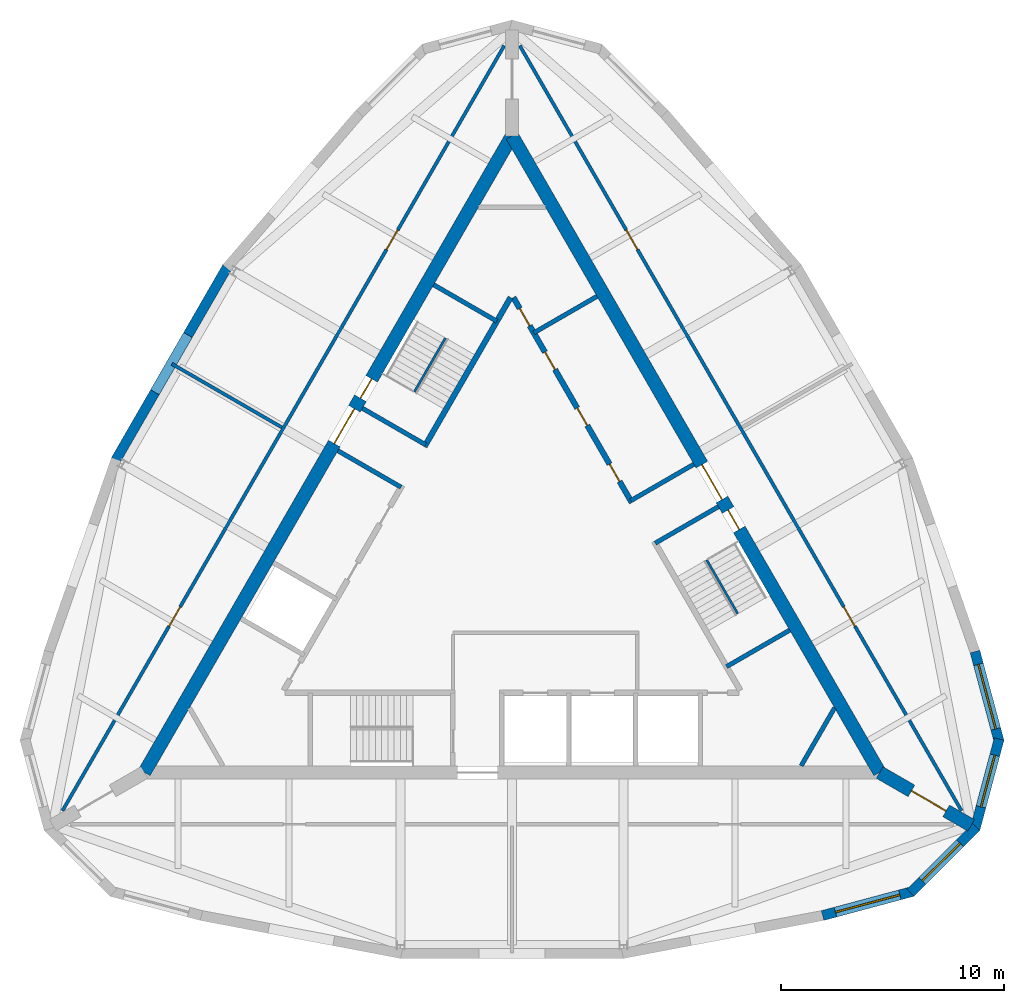
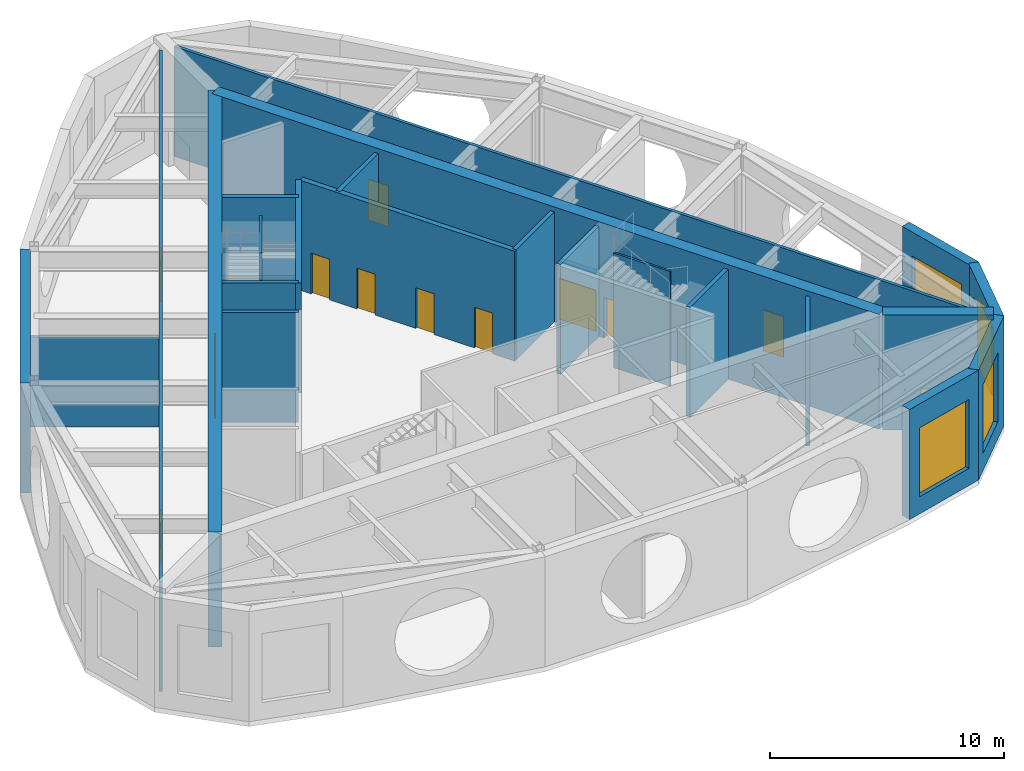
# One storey, part 3 of 5: 23 walls, 13 doors, 4 windows, 17 openings.
"""IFC4 building model written with IfcOpenShell, lengths in metres."""

import ifcopenshell
import ifcopenshell.guid

model = None  # the IFC model being written
_history = None  # IfcOwnerHistory: only IFC2X3 demands one
_inside = {}  # id of a spatial element -> (the spatial element, [elements in it])
_under = {}  # id of a project, library or spatial element -> (it, [spatial elements below it])
_declared = {}  # id of a project -> (the project, [libraries it declares])
_typed = {}  # id of a type object -> (the type object, [elements of that type])
_made_of = {}  # id of a material, layer set ... -> (it, [elements and type objects made of it])


def new_model(schema):
    """Start an empty IFC model of exactly this schema.

    Asked for "IFC4X3", IfcOpenShell would pick the latest addendum, in which some entities
    have other attributes; the version numbers below select the first issue.
    IFC2X3 requires an IfcOwnerHistory on every rooted entity: one is made here for all.
    """
    global model, _history
    if schema == "IFC4X3":
        model = ifcopenshell.file(schema_version=(4, 3, 0, 0))
    else:
        model = ifcopenshell.file(schema=schema)
    _inside.clear()
    _under.clear()
    _declared.clear()
    _typed.clear()
    _made_of.clear()
    _history = None
    if model.schema == "IFC2X3":
        org = make("IfcOrganization", Name="unknown")
        user = make(
            "IfcPersonAndOrganization",
            ThePerson=make("IfcPerson", FamilyName="unknown"),
            TheOrganization=org,
        )
        app = make(
            "IfcApplication",
            ApplicationDeveloper=org,
            Version="unknown",
            ApplicationFullName="unknown",
            ApplicationIdentifier="unknown",
        )
        _history = make(
            "IfcOwnerHistory",
            OwningUser=user,
            OwningApplication=app,
            ChangeAction="ADDED",
            CreationDate=0,
        )
    return model


def make(cls, **values):
    """One entity of the class cls with the attributes given. An attribute that is None is left unset."""
    return model.create_entity(
        cls, **{name: value for name, value in values.items() if value is not None}
    )


def rooted(cls, **values):
    """An entity with a GlobalId (a new one), such as an element, a storey or a relation."""
    return make(cls, GlobalId=ifcopenshell.guid.new(), OwnerHistory=_history, **values)


def si_unit(unit_type, name, prefix=None):
    """IfcSIUnit, for example si_unit("LENGTHUNIT", "METRE", prefix="MILLI")."""
    return make("IfcSIUnit", UnitType=unit_type, Prefix=prefix, Name=name)


def assignment(units):
    """IfcUnitAssignment: the units of a project."""
    return None if units is None else make("IfcUnitAssignment", Units=units)


def point(xyz):
    """IfcCartesianPoint."""
    return None if xyz is None else make("IfcCartesianPoint", Coordinates=xyz)


def direction(xyz):
    """IfcDirection."""
    return None if xyz is None else make("IfcDirection", DirectionRatios=xyz)


def frame(location, z_axis=None, x_axis=None):
    """IfcAxis2Placement3D, a coordinate frame: its origin and axes. An axis left out is left unset."""
    return make(
        "IfcAxis2Placement3D",
        Location=point(location),
        Axis=direction(z_axis),
        RefDirection=direction(x_axis),
    )


def frame_2d(location, x_axis=None):
    """IfcAxis2Placement2D, a coordinate frame in the plane: its origin and x axis."""
    return make(
        "IfcAxis2Placement2D", Location=point(location), RefDirection=direction(x_axis)
    )


def origin():
    """The frame at (0, 0, 0) with its axes left unset."""
    return frame((0.0, 0.0, 0.0))


def place(relative_to, where):
    """IfcLocalPlacement: puts the frame where relative to a parent placement (None: the world)."""
    return make(
        "IfcLocalPlacement", PlacementRelTo=relative_to, RelativePlacement=where
    )


def context(
    kind, dimensions, precision=None, world=None, true_north=None, identifier=None
):
    """IfcGeometricRepresentationContext, for example the 3D "Model" context."""
    return make(
        "IfcGeometricRepresentationContext",
        ContextIdentifier=identifier,
        ContextType=kind,
        CoordinateSpaceDimension=dimensions,
        Precision=precision,
        WorldCoordinateSystem=world,
        TrueNorth=true_north,
    )


def subcontext(parent, identifier, kind, view, scale=None):
    """IfcGeometricRepresentationSubContext, for example "Body" below "Model"."""
    return make(
        "IfcGeometricRepresentationSubContext",
        ContextIdentifier=identifier,
        ContextType=kind,
        ParentContext=parent,
        TargetScale=scale,
        TargetView=view,
    )


def project(units=None, contexts=None):
    """IfcProject with its units and contexts."""
    return rooted(
        "IfcProject",
        Name="project",
        RepresentationContexts=contexts,
        UnitsInContext=assignment(units),
    )


def spatial(cls, under=None, at=None, **own):
    """A site, building, storey or space (cls), placed at a placement, below another one or the project."""
    s = rooted(cls, ObjectPlacement=at, **own)
    if under is not None:
        _under.setdefault(under.id(), (under, []))[1].append(s)
    return s


def polyline(points):
    """IfcPolyline through the points."""
    return make("IfcPolyline", Points=[point(p) for p in points])


def profile(cls, at=None, kind="AREA", **sizes):
    """A parametric profile (cls). Its sizes go by their IFC names, for example OverallWidth=200.0."""
    return make(cls, ProfileType=kind, Position=at, **sizes)


def rectangle(**sizes):
    """IfcRectangleProfileDef."""
    return profile("IfcRectangleProfileDef", **sizes)


def outline(outer, holes=None, kind="AREA"):
    """IfcArbitraryClosedProfileDef: a profile drawn as a closed curve; with holes, ...WithVoids."""
    if holes is None:
        return make("IfcArbitraryClosedProfileDef", ProfileType=kind, OuterCurve=outer)
    return make(
        "IfcArbitraryProfileDefWithVoids",
        ProfileType=kind,
        OuterCurve=outer,
        InnerCurves=holes,
    )


def extrude(swept, where, along, depth):
    """IfcExtrudedAreaSolid: the profile swept, set in the frame where, extruded along a direction by depth."""
    return make(
        "IfcExtrudedAreaSolid",
        SweptArea=swept,
        Position=where,
        ExtrudedDirection=direction(along),
        Depth=depth,
    )


def shape(context_of_items, identifier, shape_type, items):
    """IfcShapeRepresentation: the items that make up one representation, for example the "Body"."""
    return make(
        "IfcShapeRepresentation",
        ContextOfItems=context_of_items,
        RepresentationIdentifier=identifier,
        RepresentationType=shape_type,
        Items=items,
    )


def material(Name=None, Category=None):
    """IfcMaterial."""
    return make("IfcMaterial", Name=Name, Category=Category)


def layer(
    of_material, thickness, ventilated=None, Name=None, Category=None, Priority=None
):
    """IfcMaterialLayer: one layer of a wall or slab, of a material (None: an air gap)."""
    return make(
        "IfcMaterialLayer",
        Material=of_material,
        LayerThickness=thickness,
        IsVentilated=ventilated,
        Name=Name,
        Category=Category,
        Priority=Priority,
    )


def layer_set(layers, Name=None):
    """IfcMaterialLayerSet."""
    return make("IfcMaterialLayerSet", MaterialLayers=layers, LayerSetName=Name)


def made_of(thing, what):
    """Note that an element or type object is made of a material, layer set ...; save() writes the relation."""
    if what is not None:
        _made_of.setdefault(what.id(), (what, []))[1].append(thing)
    return thing


def type_object(cls, material=None, **own):
    """A type object (cls), such as IfcWallType, which elements share."""
    return made_of(rooted(cls, **own), material)


def element(
    cls,
    number,
    at=None,
    inside=None,
    cuts=None,
    type_object=None,
    material=None,
    context=None,
    identifier="Body",
    shape_type=None,
    held_by="IfcProductDefinitionShape",
    body=None,
    shapes=None,
    **own,
):
    """One element of the class cls, such as IfcWall. Its Tag is "e" and its number.

    at: its placement. inside: the storey or other place that contains it. cuts: it is an
    opening in that element (IfcRelVoidsElement). A single representation is given by context,
    identifier, shape_type and body (its items); several are given by shapes. held_by: the class
    of the entity that holds the representations. save() writes the other relations.
    """
    e = rooted(cls, Tag="e%d" % number, ObjectPlacement=at, **own)
    if body is not None:
        shapes = [shape(context, identifier, shape_type, body)]
    if shapes is not None:
        e.Representation = make(held_by, Representations=shapes)
    if inside is not None:
        _inside.setdefault(inside.id(), (inside, []))[1].append(e)
    if cuts is not None:
        rooted(
            "IfcRelVoidsElement", RelatingBuildingElement=cuts, RelatedOpeningElement=e
        )
    if type_object is not None:
        _typed.setdefault(type_object.id(), (type_object, []))[1].append(e)
    return made_of(e, material)


def fill(opening, filler):
    """IfcRelFillsElement: the door or window that sits in an opening."""
    return rooted(
        "IfcRelFillsElement",
        RelatingOpeningElement=opening,
        RelatedBuildingElement=filler,
    )


def aggregate(whole, parts):
    """IfcRelAggregates: a whole, such as a stair, and the parts it consists of."""
    return rooted("IfcRelAggregates", RelatingObject=whole, RelatedObjects=parts)


def save(model, path):
    """Write the relations noted so far, then the file.

    IfcRelAggregates (storeys below a building ...), IfcRelContainedInSpatialStructure (elements
    in a storey), IfcRelDefinesByType, IfcRelAssociatesMaterial and IfcRelDeclares: one each for
    every whole, place, type object, material and project.
    """
    for whole, parts in _under.values():
        aggregate(whole, parts)
    for where, things in _inside.values():
        rooted(
            "IfcRelContainedInSpatialStructure",
            RelatedElements=things,
            RelatingStructure=where,
        )
    for kind, things in _typed.values():
        rooted("IfcRelDefinesByType", RelatedObjects=things, RelatingType=kind)
    for what, things in _made_of.values():
        rooted("IfcRelAssociatesMaterial", RelatedObjects=things, RelatingMaterial=what)
    for by, libraries in _declared.values():
        rooted("IfcRelDeclares", RelatingContext=by, RelatedDefinitions=libraries)
    model.write(path)


model = new_model("IFC4")

# Units and contexts
model_context = context("Model", 3, precision=1e-05, world=origin(), true_north=direction((0.0, 1.0)))
body_context = subcontext(model_context, "Body", "Model", "MODEL_VIEW")
ifc_project = project(units=[si_unit("LENGTHUNIT", "METRE"), si_unit("AREAUNIT", "SQUARE_METRE"), si_unit("VOLUMEUNIT", "CUBIC_METRE"), si_unit("PLANEANGLEUNIT", "RADIAN"), si_unit("MASSUNIT", "GRAM", prefix="KILO")], contexts=[model_context])

# Site, building, storey
site_placement = place(None, origin())
site = spatial("IfcSite", under=ifc_project, at=site_placement, CompositionType="ELEMENT")
building_placement = place(site_placement, origin())
building = spatial("IfcBuilding", under=site, at=building_placement, Name="Trikona Tower", CompositionType="ELEMENT")
storey_placement = place(building_placement, frame((0.0, 0.0, 297.800048828125)))
storey = spatial("IfcBuildingStorey", under=building, at=storey_placement, Name="L77", CompositionType="ELEMENT", Elevation=297.800048828125)

# Wall, opening, window
ifc_material_1 = material(Name="Brick-faced precast concrete", Category="masonry")
ifc_layer_1 = layer(ifc_material_1, 0.449951171875)
ifc_layer_set_1 = layer_set([ifc_layer_1], Name="Brick-faced corner wall 450")
wall_type_1 = type_object("IfcWallType", Name="Brick-faced corner wall 450", PredefinedType="SOLIDWALL", material=ifc_layer_set_1)
wall_1_placement = place(storey_placement, frame((13.94189453125, -15.948486328125, 0.0), z_axis=(0.0, 0.0, 1.0), x_axis=(0.965920442324, 0.258839137498, 0.0)))
wall_1 = element("IfcWall", 1, at=wall_1_placement, inside=storey, type_object=wall_type_1, Name="External wall L77-03", PredefinedType="SOLIDWALL", context=body_context, shape_type="SweptSolid", body=[
    extrude(rectangle(XDim=4.18408203125, YDim=0.449951171875, at=frame_2d((2.092041015625, 0.0))), origin(), (0.0, 0.0, 1.0), 5.75),
])
opening_1_placement = place(wall_1_placement, frame((0.592041015625, 0.0, 0.89990234375)))
opening_1 = element("IfcOpeningElement", 2, at=opening_1_placement, cuts=wall_1, Name="Opening W3036", PredefinedType="OPENING", context=body_context, shape_type="SweptSolid", body=[
    extrude(rectangle(XDim=3.0, YDim=3.60009765625, at=frame_2d((1.5, 1.800048828125))), frame((0.0, 0.23486328125, 0.0), z_axis=(0.0, -1.0, 0.0), x_axis=(1.0, 0.0, 0.0)), (0.0, 0.0, 1.0), 0.469970703125),
])
ifc_material_2 = material(Name="Aluminium-framed double glazing", Category="aluminium")
window_type_1 = type_object("IfcWindowType", Name="Window 3000x3600", PartitioningType="SINGLE_PANEL", PredefinedType="WINDOW", material=ifc_material_2)
window_1_placement = place(opening_1_placement, origin())
window_1 = element("IfcWindow", 3, at=window_1_placement, inside=storey, type_object=window_type_1, Name="Window L77-LMR", OverallHeight=3.60009765625, OverallWidth=3.0, PartitioningType="SINGLE_PANEL", PredefinedType="WINDOW", context=body_context, shape_type="SweptSolid", body=[
    extrude(rectangle(XDim=3.0, YDim=3.60009765625, at=frame_2d((1.5, 1.800048828125))), frame((0.0, 0.030029296875, 0.0), z_axis=(0.0, -1.0, 0.0), x_axis=(1.0, 0.0, 0.0)), (0.0, 0.0, 1.0), 0.06005859375),
])
fill(opening_1, window_1)

wall_2_placement = place(storey_placement, frame((17.88232421875, -14.923828125, 0.0), z_axis=(0.0, 0.0, 1.0), x_axis=(0.707106781187, 0.707106781187, 0.0)))
wall_2 = element("IfcWall", 4, at=wall_2_placement, inside=storey, type_object=wall_type_1, Name="External wall L77-04", PredefinedType="SOLIDWALL", context=body_context, shape_type="SweptSolid", body=[
    extrude(outline(polyline([(4.183837890625, 0.22509765625), (4.124755859375, 0.22509765625), (3.77783203125, 0.132080078125), (3.7529296875, 0.22509765625), (0.0, 0.22509765625), (0.0, -0.22509765625), (4.183837890625, -0.22509765625), (4.183837890625, 0.22509765625)])), origin(), (0.0, 0.0, 1.0), 5.75),
])
opening_2_placement = place(wall_2_placement, frame((0.75146484375, 0.0, 0.89990234375)))
opening_2 = element("IfcOpeningElement", 5, at=opening_2_placement, cuts=wall_2, Name="Opening W2436", PredefinedType="OPENING", context=body_context, shape_type="SweptSolid", body=[
    extrude(rectangle(XDim=2.39990234375, YDim=3.60009765625, at=frame_2d((1.199951171875, 1.800048828125))), frame((0.0, 0.23486328125, 0.0), z_axis=(0.0, -1.0, 0.0), x_axis=(1.0, 0.0, 0.0)), (0.0, 0.0, 1.0), 0.469970703125),
])
ifc_material_3 = material(Name="Aluminium-framed double glazing", Category="aluminium")
window_type_2 = type_object("IfcWindowType", Name="Window 2400x3600", PartitioningType="SINGLE_PANEL", PredefinedType="WINDOW", material=ifc_material_3)
window_2_placement = place(opening_2_placement, origin())
window_2 = element("IfcWindow", 6, at=window_2_placement, inside=storey, type_object=window_type_2, Name="Window L77-LMR", OverallHeight=3.60009765625, OverallWidth=2.39990234375, PartitioningType="SINGLE_PANEL", PredefinedType="WINDOW", context=body_context, shape_type="SweptSolid", body=[
    extrude(rectangle(XDim=2.39990234375, YDim=3.60009765625, at=frame_2d((1.199951171875, 1.800048828125))), frame((0.0, 0.030029296875, 0.0), z_axis=(0.0, -1.0, 0.0), x_axis=(1.0, 0.0, 0.0)), (0.0, 0.0, 1.0), 0.06005859375),
])
fill(opening_2, window_2)

wall_3_placement = place(storey_placement, frame((20.78271484375, -12.066162109375, 0.0), z_axis=(0.0, 0.0, 1.0), x_axis=(0.258784695888, 0.965935029479, 0.0)))
wall_3 = element("IfcWall", 7, at=wall_3_placement, inside=storey, type_object=wall_type_1, Name="External wall L77-05", PredefinedType="SOLIDWALL", context=body_context, shape_type="SweptSolid", body=[
    extrude(outline(polyline([(4.18408203125, 0.22509765625), (0.43115234375, 0.22509765625), (0.40625, 0.132080078125), (0.0595703125, 0.22509765625), (0.0, 0.22509765625), (0.0, -0.22509765625), (4.18408203125, -0.22509765625), (4.18408203125, 0.22509765625)])), origin(), (0.0, 0.0, 1.0), 5.75),
])
opening_3_placement = place(wall_3_placement, frame((1.03271484375, 0.0, 0.89990234375)))
opening_3 = element("IfcOpeningElement", 8, at=opening_3_placement, cuts=wall_3, Name="Opening W2436", PredefinedType="OPENING", context=body_context, shape_type="SweptSolid", body=[
    extrude(rectangle(XDim=2.39990234375, YDim=3.60009765625, at=frame_2d((1.199951171875, 1.800048828125))), frame((0.0, 0.23486328125, 0.0), z_axis=(0.0, -1.0, 0.0), x_axis=(1.0, 0.0, 0.0)), (0.0, 0.0, 1.0), 0.469970703125),
])
window_3_placement = place(opening_3_placement, origin())
window_3 = element("IfcWindow", 9, at=window_3_placement, inside=storey, type_object=window_type_2, Name="Window L77-SXF", OverallHeight=3.60009765625, OverallWidth=2.39990234375, PartitioningType="SINGLE_PANEL", PredefinedType="WINDOW", context=body_context, shape_type="SweptSolid", body=[
    extrude(rectangle(XDim=2.39990234375, YDim=3.60009765625, at=frame_2d((1.199951171875, 1.800048828125))), frame((0.0, 0.030029296875, 0.0), z_axis=(0.0, -1.0, 0.0), x_axis=(1.0, 0.0, 0.0)), (0.0, 0.0, 1.0), 0.06005859375),
])
fill(opening_3, window_3)

wall_4_placement = place(storey_placement, frame((21.865478515625, -8.14111328125, 0.0), z_axis=(0.0, 0.0, 1.0), x_axis=(-0.258784695888, 0.965935029479, 0.0)))
wall_4 = element("IfcWall", 10, at=wall_4_placement, inside=storey, type_object=wall_type_1, Name="External wall L77-06", PredefinedType="SOLIDWALL", context=body_context, shape_type="SweptSolid", body=[
    extrude(rectangle(XDim=4.18408203125, YDim=0.449951171875, at=frame_2d((2.092041015625, 0.0))), origin(), (0.0, 0.0, 1.0), 5.75),
])
opening_4_placement = place(wall_4_placement, frame((0.592041015625, 0.0, 0.89990234375)))
opening_4 = element("IfcOpeningElement", 11, at=opening_4_placement, cuts=wall_4, Name="Opening W3036", PredefinedType="OPENING", context=body_context, shape_type="SweptSolid", body=[
    extrude(rectangle(XDim=3.0, YDim=3.60009765625, at=frame_2d((1.5, 1.800048828125))), frame((0.0, 0.23486328125, 0.0), z_axis=(0.0, -1.0, 0.0), x_axis=(1.0, 0.0, 0.0)), (0.0, 0.0, 1.0), 0.469970703125),
])
window_4_placement = place(opening_4_placement, origin())
window_4 = element("IfcWindow", 12, at=window_4_placement, inside=storey, type_object=window_type_1, Name="Window L77-SXF", OverallHeight=3.60009765625, OverallWidth=3.0, PartitioningType="SINGLE_PANEL", PredefinedType="WINDOW", context=body_context, shape_type="SweptSolid", body=[
    extrude(rectangle(XDim=3.0, YDim=3.60009765625, at=frame_2d((1.5, 1.800048828125))), frame((0.0, 0.030029296875, 0.0), z_axis=(0.0, -1.0, 0.0), x_axis=(1.0, 0.0, 0.0)), (0.0, 0.0, 1.0), 0.06005859375),
])
fill(opening_4, window_4)

# Wall
ifc_material_4 = material(Name="Brick-faced precast concrete with louvred openings", Category="masonry")
ifc_layer_2 = layer(ifc_material_4, 0.449951171875)
ifc_layer_set_2 = layer_set([ifc_layer_2], Name="Brick-faced plant wall 450")
wall_type_2 = type_object("IfcWallType", Name="Brick-faced plant wall 450", PredefinedType="SOLIDWALL", material=ifc_layer_set_2)
wall_5_placement = place(storey_placement, frame((-12.785888671875, 13.155517578125, 0.0), z_axis=(0.0, 0.0, 1.0), x_axis=(-0.500004234368, -0.866022959057, 0.0)))
element("IfcWall", 13, at=wall_5_placement, inside=storey, type_object=wall_type_2, Name="External wall L77-15", PredefinedType="SOLIDWALL", context=body_context, shape_type="SweptSolid", body=[
    extrude(outline(polyline([(0.0, 0.0), (10.0, 0.0), (10.0, 5.75), (0.0, 5.75), (0.0, 0.0)]), holes=[polyline([(7.25, 2.875), (7.17333984375, 3.457275390625), (6.948486328125, 4.0), (6.591064453125, 4.466064453125), (6.125, 4.823486328125), (5.582275390625, 5.04833984375), (5.0, 5.125), (4.41748046875, 5.04833984375), (3.875, 4.823486328125), (3.408935546875, 4.466064453125), (3.051513671875, 4.0), (2.82666015625, 3.457275390625), (2.75, 2.875), (2.82666015625, 2.292724609375), (3.051513671875, 1.75), (3.408935546875, 1.283935546875), (3.875, 0.92626953125), (4.41748046875, 0.70166015625), (5.0, 0.625), (5.582275390625, 0.70166015625), (6.125, 0.92626953125), (6.591064453125, 1.283935546875), (6.948486328125, 1.75), (7.17333984375, 2.292724609375), (7.25, 2.875)])]), frame((0.0, 0.22509765625, 0.0), z_axis=(0.0, -1.0, 0.0), x_axis=(1.0, 0.0, 0.0)), (0.0, 0.0, 1.0), 0.449951171875),
])

# Wall, opening, door
ifc_material_5 = material(Name="Concrete f'c 10000 psi", Category="concrete")
ifc_layer_3 = layer(ifc_material_5, 0.60009765625)
ifc_layer_set_3 = layer_set([ifc_layer_3], Name="Buttress wall 600")
wall_type_3 = type_object("IfcWallType", Name="Buttress wall 600", PredefinedType="SHEAR", material=ifc_layer_set_3)
wall_6_placement = place(storey_placement, frame((16.5, -9.5263671875, 0.0), z_axis=(0.0, 0.0, 1.0), x_axis=(0.866031398331, -0.499989616998, 0.0)))
wall_6 = element("IfcWall", 14, at=wall_6_placement, inside=storey, type_object=wall_type_3, Name="Buttress wall 1", PredefinedType="SHEAR", context=body_context, shape_type="SweptSolid", body=[
    extrude(rectangle(XDim=4.74609375, YDim=0.60009765625, at=frame_2d((2.373046875, 0.0))), origin(), (0.0, 0.0, 1.0), 6.0),
])
opening_5_placement = place(wall_6_placement, frame((1.64990234375, 0.0, 0.0)))
opening_5 = element("IfcOpeningElement", 15, at=opening_5_placement, cuts=wall_6, Name="Opening D10", PredefinedType="OPENING", context=body_context, shape_type="SweptSolid", body=[
    extrude(rectangle(XDim=1.800048828125, YDim=2.1298828125, at=frame_2d((0.89990234375, 1.06494140625))), frame((0.0, 0.31005859375, 0.0), z_axis=(0.0, -1.0, 0.0), x_axis=(1.0, 0.0, 0.0)), (0.0, 0.0, 1.0), 0.6201171875),
])
ifc_material_6 = material(Name="Hollow metal door and frame", Category="steel")
door_type_1 = type_object("IfcDoorType", Name="Cross-corridor door pair 1800x2130", OperationType="DOUBLE_DOOR_DOUBLE_SWING", PredefinedType="DOOR", material=ifc_material_6)
door_1_placement = place(opening_5_placement, origin())
door_1 = element("IfcDoor", 16, at=door_1_placement, inside=storey, type_object=door_type_1, Name="Cross-corridor door 1", OperationType="DOUBLE_DOOR_DOUBLE_SWING", OverallHeight=2.1298828125, OverallWidth=1.800048828125, PredefinedType="DOOR", context=body_context, shape_type="SweptSolid", body=[
    extrude(rectangle(XDim=1.800048828125, YDim=2.1298828125, at=frame_2d((0.89990234375, 1.06494140625))), frame((0.0, 0.02490234375, 0.0), z_axis=(0.0, -1.0, 0.0), x_axis=(1.0, 0.0, 0.0)), (0.0, 0.0, 1.0), 0.050048828125),
])
fill(opening_5, door_1)

# Wall, openings, doors
ifc_material_7 = material(Name="Concrete f'c 10000 psi", Category="concrete")
ifc_layer_4 = layer(ifc_material_7, 0.60009765625)
ifc_layer_set_4 = layer_set([ifc_layer_4], Name="Core wall 600")
wall_type_4 = type_object("IfcWallType", Name="Core wall 600", PredefinedType="SHEAR", material=ifc_layer_set_4)
wall_7_placement = place(storey_placement, frame((16.5, -9.5263671875, 0.0), z_axis=(0.0, 0.0, 1.0), x_axis=(-0.499999749417, 0.866025548458, 0.0)))
wall_7 = element("IfcWall", 17, at=wall_7_placement, inside=storey, type_object=wall_type_4, Name="Core wall B", PredefinedType="SHEAR", context=body_context, shape_type="SweptSolid", body=[
    extrude(rectangle(XDim=33.0, YDim=0.60009765625, at=frame_2d((16.5, 0.0))), origin(), (0.0, 0.0, 1.0), 6.0),
])
opening_6_placement = place(wall_7_placement, frame((14.14990234375, 0.0, 0.0)))
opening_6 = element("IfcOpeningElement", 18, at=opening_6_placement, cuts=wall_7, Name="Opening D6", PredefinedType="OPENING", context=body_context, shape_type="SweptSolid", body=[
    extrude(rectangle(XDim=1.800048828125, YDim=2.1298828125, at=frame_2d((0.89990234375, 1.06494140625))), frame((0.0, 0.31005859375, 0.0), z_axis=(0.0, -1.0, 0.0), x_axis=(1.0, 0.0, 0.0)), (0.0, 0.0, 1.0), 0.6201171875),
])
opening_7_placement = place(wall_7_placement, frame((12.60009765625, 0.0, 0.0)))
opening_7 = element("IfcOpeningElement", 19, at=opening_7_placement, cuts=wall_7, Name="Opening D5", PredefinedType="OPENING", context=body_context, shape_type="SweptSolid", body=[
    extrude(rectangle(XDim=1.0, YDim=2.1298828125, at=frame_2d((0.5, 1.06494140625))), frame((0.0, 0.31005859375, 0.0), z_axis=(0.0, -1.0, 0.0), x_axis=(1.0, 0.0, 0.0)), (0.0, 0.0, 1.0), 0.6201171875),
])
ifc_material_8 = material(Name="Hollow metal door and frame", Category="steel")
door_type_2 = type_object("IfcDoorType", Name="Lobby door pair 1800x2130", OperationType="DOUBLE_DOOR_SINGLE_SWING", PredefinedType="DOOR", material=ifc_material_8)
door_2_placement = place(opening_6_placement, origin())
door_2 = element("IfcDoor", 20, at=door_2_placement, inside=storey, type_object=door_type_2, Name="Lift lobby door B", OperationType="DOUBLE_DOOR_SINGLE_SWING", OverallHeight=2.1298828125, OverallWidth=1.800048828125, PredefinedType="DOOR", context=body_context, shape_type="SweptSolid", body=[
    extrude(rectangle(XDim=1.800048828125, YDim=2.1298828125, at=frame_2d((0.89990234375, 1.06494140625))), frame((0.0, 0.02490234375, 0.0), z_axis=(0.0, -1.0, 0.0), x_axis=(1.0, 0.0, 0.0)), (0.0, 0.0, 1.0), 0.050048828125),
])
fill(opening_6, door_2)
ifc_material_9 = material(Name="Hollow metal door and frame", Category="steel")
door_type_3 = type_object("IfcDoorType", Name="Stair door 1000x2130", OperationType="SINGLE_SWING_LEFT", PredefinedType="DOOR", material=ifc_material_9)
door_3_placement = place(opening_7_placement, origin())
door_3 = element("IfcDoor", 21, at=door_3_placement, inside=storey, type_object=door_type_3, Name="Stair B door", OperationType="SINGLE_SWING_RIGHT", OverallHeight=2.1298828125, OverallWidth=1.0, PredefinedType="DOOR", context=body_context, shape_type="SweptSolid", body=[
    extrude(rectangle(XDim=1.0, YDim=2.1298828125, at=frame_2d((0.5, 1.06494140625))), frame((0.0, 0.02490234375, 0.0), z_axis=(0.0, -1.0, 0.0), x_axis=(1.0, 0.0, 0.0)), (0.0, 0.0, 1.0), 0.050048828125),
])
fill(opening_7, door_3)

wall_8_placement = place(storey_placement, frame((0.0, 19.052490234375, 0.0), z_axis=(0.0, 0.0, 1.0), x_axis=(-0.499999749417, -0.866025548458, 0.0)))
wall_8 = element("IfcWall", 22, at=wall_8_placement, inside=storey, type_object=wall_type_4, Name="Core wall C", PredefinedType="SHEAR", context=body_context, shape_type="SweptSolid", body=[
    extrude(rectangle(XDim=33.0, YDim=0.60009765625, at=frame_2d((16.5, 0.0))), origin(), (0.0, 0.0, 1.0), 6.0),
])
opening_8_placement = place(wall_8_placement, frame((14.14990234375, 0.0, 0.0)))
opening_8 = element("IfcOpeningElement", 23, at=opening_8_placement, cuts=wall_8, Name="Opening D6", PredefinedType="OPENING", context=body_context, shape_type="SweptSolid", body=[
    extrude(rectangle(XDim=1.800048828125, YDim=2.1298828125, at=frame_2d((0.89990234375, 1.06494140625))), frame((0.0, 0.31005859375, 0.0), z_axis=(0.0, -1.0, 0.0), x_axis=(1.0, 0.0, 0.0)), (0.0, 0.0, 1.0), 0.6201171875),
])
opening_9_placement = place(wall_8_placement, frame((12.60009765625, 0.0, 0.0)))
opening_9 = element("IfcOpeningElement", 24, at=opening_9_placement, cuts=wall_8, Name="Opening D5", PredefinedType="OPENING", context=body_context, shape_type="SweptSolid", body=[
    extrude(rectangle(XDim=1.0, YDim=2.1298828125, at=frame_2d((0.5, 1.06494140625))), frame((0.0, 0.31005859375, 0.0), z_axis=(0.0, -1.0, 0.0), x_axis=(1.0, 0.0, 0.0)), (0.0, 0.0, 1.0), 0.6201171875),
])
door_4_placement = place(opening_8_placement, origin())
door_4 = element("IfcDoor", 25, at=door_4_placement, inside=storey, type_object=door_type_2, Name="Lift lobby door C", OperationType="DOUBLE_DOOR_SINGLE_SWING", OverallHeight=2.1298828125, OverallWidth=1.800048828125, PredefinedType="DOOR", context=body_context, shape_type="SweptSolid", body=[
    extrude(rectangle(XDim=1.800048828125, YDim=2.1298828125, at=frame_2d((0.89990234375, 1.06494140625))), frame((0.0, 0.02490234375, 0.0), z_axis=(0.0, -1.0, 0.0), x_axis=(1.0, 0.0, 0.0)), (0.0, 0.0, 1.0), 0.050048828125),
])
fill(opening_8, door_4)
door_5_placement = place(opening_9_placement, origin())
door_5 = element("IfcDoor", 26, at=door_5_placement, inside=storey, type_object=door_type_3, Name="Stair C door", OperationType="SINGLE_SWING_RIGHT", OverallHeight=2.1298828125, OverallWidth=1.0, PredefinedType="DOOR", context=body_context, shape_type="SweptSolid", body=[
    extrude(rectangle(XDim=1.0, YDim=2.1298828125, at=frame_2d((0.5, 1.06494140625))), frame((0.0, 0.02490234375, 0.0), z_axis=(0.0, -1.0, 0.0), x_axis=(1.0, 0.0, 0.0)), (0.0, 0.0, 1.0), 0.050048828125),
])
fill(opening_9, door_5)

ifc_material_10 = material(Name="Metal stud and gypsum board, 1-hour", Category="gypsum")
ifc_layer_5 = layer(ifc_material_10, 0.14990234375)
ifc_layer_set_5 = layer_set([ifc_layer_5], Name="Corridor wall 150")
wall_type_5 = type_object("IfcWallType", Name="Corridor wall 150", PredefinedType="PARTITIONING", material=ifc_layer_set_5)
wall_9_placement = place(storey_placement, frame((20.177001953125, -11.2451171875, 0.0), z_axis=(0.0, 0.0, 1.0), x_axis=(-0.499998875317, 0.866026053119, 0.0)))
wall_9 = element("IfcWall", 27, at=wall_9_placement, inside=storey, type_object=wall_type_5, Name="Corridor wall L77-2", PredefinedType="PARTITIONING", context=body_context, shape_type="SweptSolid", body=[
    extrude(rectangle(XDim=39.65380859375, YDim=0.14990234375, at=frame_2d((19.826904296875, 0.0))), origin(), (0.0, 0.0, 1.0), 5.75),
])
opening_10_placement = place(wall_9_placement, frame((9.5634765625, 0.0, 0.0)))
opening_10 = element("IfcOpeningElement", 28, at=opening_10_placement, cuts=wall_9, Name="Opening D3", PredefinedType="OPENING", context=body_context, shape_type="SweptSolid", body=[
    extrude(rectangle(XDim=1.0, YDim=2.1298828125, at=frame_2d((0.5, 1.06494140625))), frame((0.0, 0.0849609375, 0.0), z_axis=(0.0, -1.0, 0.0), x_axis=(1.0, 0.0, 0.0)), (0.0, 0.0, 1.0), 0.169921875),
])
opening_11_placement = place(wall_9_placement, frame((29.090576171875, 0.0, 0.0)))
opening_11 = element("IfcOpeningElement", 29, at=opening_11_placement, cuts=wall_9, Name="Opening D3", PredefinedType="OPENING", context=body_context, shape_type="SweptSolid", body=[
    extrude(rectangle(XDim=1.0, YDim=2.1298828125, at=frame_2d((0.5, 1.06494140625))), frame((0.0, 0.0849609375, 0.0), z_axis=(0.0, -1.0, 0.0), x_axis=(1.0, 0.0, 0.0)), (0.0, 0.0, 1.0), 0.169921875),
])
ifc_material_11 = material(Name="Steel door frame with solid-core timber leaf", Category="steel")
door_type_4 = type_object("IfcDoorType", Name="Room door 1000x2130", OperationType="SINGLE_SWING_LEFT", PredefinedType="DOOR", material=ifc_material_11)
door_6_placement = place(opening_10_placement, origin())
door_6 = element("IfcDoor", 30, at=door_6_placement, inside=storey, type_object=door_type_4, Name="Door Smoke exhaust fan plant room", OperationType="SINGLE_SWING_LEFT", OverallHeight=2.1298828125, OverallWidth=1.0, PredefinedType="DOOR", context=body_context, shape_type="SweptSolid", body=[
    extrude(rectangle(XDim=1.0, YDim=2.1298828125, at=frame_2d((0.5, 1.06494140625))), frame((0.0, 0.02490234375, 0.0), z_axis=(0.0, -1.0, 0.0), x_axis=(1.0, 0.0, 0.0)), (0.0, 0.0, 1.0), 0.050048828125),
])
fill(opening_10, door_6)
door_7_placement = place(opening_11_placement, origin())
door_7 = element("IfcDoor", 31, at=door_7_placement, inside=storey, type_object=door_type_4, Name="Door Cooling tower plant", OperationType="SINGLE_SWING_RIGHT", OverallHeight=2.1298828125, OverallWidth=1.0, PredefinedType="DOOR", context=body_context, shape_type="SweptSolid", body=[
    extrude(rectangle(XDim=1.0, YDim=2.1298828125, at=frame_2d((0.5, 1.06494140625))), frame((0.0, 0.02490234375, 0.0), z_axis=(0.0, -1.0, 0.0), x_axis=(1.0, 0.0, 0.0)), (0.0, 0.0, 1.0), 0.050048828125),
])
fill(opening_11, door_7)

wall_10_placement = place(storey_placement, frame((-0.35009765625, 23.09619140625, 0.0), z_axis=(0.0, 0.0, 1.0), x_axis=(-0.499998875317, -0.866026053119, 0.0)))
wall_10 = element("IfcWall", 32, at=wall_10_placement, inside=storey, type_object=wall_type_5, Name="Corridor wall L77-3", PredefinedType="PARTITIONING", context=body_context, shape_type="SweptSolid", body=[
    extrude(rectangle(XDim=39.65380859375, YDim=0.14990234375, at=frame_2d((19.826904296875, 0.0))), origin(), (0.0, 0.0, 1.0), 5.75),
])
opening_12_placement = place(wall_10_placement, frame((9.5634765625, 0.0, 0.0)))
opening_12 = element("IfcOpeningElement", 33, at=opening_12_placement, cuts=wall_10, Name="Opening D3", PredefinedType="OPENING", context=body_context, shape_type="SweptSolid", body=[
    extrude(rectangle(XDim=1.0, YDim=2.1298828125, at=frame_2d((0.5, 1.06494140625))), frame((0.0, 0.0849609375, 0.0), z_axis=(0.0, -1.0, 0.0), x_axis=(1.0, 0.0, 0.0)), (0.0, 0.0, 1.0), 0.169921875),
])
opening_13_placement = place(wall_10_placement, frame((29.090576171875, 0.0, 0.0)))
opening_13 = element("IfcOpeningElement", 34, at=opening_13_placement, cuts=wall_10, Name="Opening D3", PredefinedType="OPENING", context=body_context, shape_type="SweptSolid", body=[
    extrude(rectangle(XDim=1.0, YDim=2.1298828125, at=frame_2d((0.5, 1.06494140625))), frame((0.0, 0.0849609375, 0.0), z_axis=(0.0, -1.0, 0.0), x_axis=(1.0, 0.0, 0.0)), (0.0, 0.0, 1.0), 0.169921875),
])
door_8_placement = place(opening_12_placement, origin())
door_8 = element("IfcDoor", 35, at=door_8_placement, inside=storey, type_object=door_type_4, Name="Door Water tank room", OperationType="SINGLE_SWING_LEFT", OverallHeight=2.1298828125, OverallWidth=1.0, PredefinedType="DOOR", context=body_context, shape_type="SweptSolid", body=[
    extrude(rectangle(XDim=1.0, YDim=2.1298828125, at=frame_2d((0.5, 1.06494140625))), frame((0.0, 0.02490234375, 0.0), z_axis=(0.0, -1.0, 0.0), x_axis=(1.0, 0.0, 0.0)), (0.0, 0.0, 1.0), 0.050048828125),
])
fill(opening_12, door_8)
door_9_placement = place(opening_13_placement, origin())
door_9 = element("IfcDoor", 36, at=door_9_placement, inside=storey, type_object=door_type_4, Name="Door Electrical switch room", OperationType="SINGLE_SWING_RIGHT", OverallHeight=2.1298828125, OverallWidth=1.0, PredefinedType="DOOR", context=body_context, shape_type="SweptSolid", body=[
    extrude(rectangle(XDim=1.0, YDim=2.1298828125, at=frame_2d((0.5, 1.06494140625))), frame((0.0, 0.02490234375, 0.0), z_axis=(0.0, -1.0, 0.0), x_axis=(1.0, 0.0, 0.0)), (0.0, 0.0, 1.0), 0.050048828125),
])
fill(opening_13, door_9)

ifc_material_12 = material(Name="Concrete f'c 8000 psi", Category="concrete")
ifc_layer_6 = layer(ifc_material_12, 0.25)
ifc_layer_set_6 = layer_set([ifc_layer_6], Name="Hub wall 250")
wall_type_6 = type_object("IfcWallType", Name="Hub wall 250", PredefinedType="SOLIDWALL", material=ifc_layer_set_6)
wall_11_placement = place(storey_placement, frame((5.37890625, 2.5859375, 0.0), z_axis=(0.0, 0.0, 1.0), x_axis=(-0.500001375892, 0.866024609411, 0.0)))
wall_11 = element("IfcWall", 37, at=wall_11_placement, inside=storey, type_object=wall_type_6, Name="Lift lobby wall B2", PredefinedType="SOLIDWALL", context=body_context, shape_type="SweptSolid", body=[
    extrude(rectangle(XDim=10.6328125, YDim=0.25, at=frame_2d((5.31640625, 0.0))), origin(), (0.0, 0.0, 1.0), 5.75),
])
opening_14_placement = place(wall_11_placement, frame((9.1640625, 0.0, 0.0)))
opening_14 = element("IfcOpeningElement", 38, at=opening_14_placement, cuts=wall_11, Name="Opening D14", PredefinedType="OPENING", context=body_context, shape_type="SweptSolid", body=[
    extrude(rectangle(XDim=0.89990234375, YDim=2.1298828125, at=frame_2d((0.449951171875, 1.06494140625))), frame((0.0, 0.135009765625, 0.0), z_axis=(0.0, -1.0, 0.0), x_axis=(1.0, 0.0, 0.0)), (0.0, 0.0, 1.0), 0.27001953125),
])
opening_15_placement = place(wall_11_placement, frame((1.10009765625, 0.0, 0.0)))
opening_15 = element("IfcOpeningElement", 39, at=opening_15_placement, cuts=wall_11, Name="Opening D14", PredefinedType="OPENING", context=body_context, shape_type="SweptSolid", body=[
    extrude(rectangle(XDim=0.89990234375, YDim=2.1298828125, at=frame_2d((0.449951171875, 1.06494140625))), frame((0.0, 0.135009765625, 0.0), z_axis=(0.0, -1.0, 0.0), x_axis=(1.0, 0.0, 0.0)), (0.0, 0.0, 1.0), 0.27001953125),
])
opening_16_placement = place(wall_11_placement, frame((4.0, 0.0, 0.0)))
opening_16 = element("IfcOpeningElement", 40, at=opening_16_placement, cuts=wall_11, Name="Opening D14", PredefinedType="OPENING", context=body_context, shape_type="SweptSolid", body=[
    extrude(rectangle(XDim=0.89990234375, YDim=2.1298828125, at=frame_2d((0.449951171875, 1.06494140625))), frame((0.0, 0.135009765625, 0.0), z_axis=(0.0, -1.0, 0.0), x_axis=(1.0, 0.0, 0.0)), (0.0, 0.0, 1.0), 0.27001953125),
])
opening_17_placement = place(wall_11_placement, frame((6.89990234375, 0.0, 0.0)))
opening_17 = element("IfcOpeningElement", 41, at=opening_17_placement, cuts=wall_11, Name="Opening D14", PredefinedType="OPENING", context=body_context, shape_type="SweptSolid", body=[
    extrude(rectangle(XDim=0.89990234375, YDim=2.1298828125, at=frame_2d((0.449951171875, 1.06494140625))), frame((0.0, 0.135009765625, 0.0), z_axis=(0.0, -1.0, 0.0), x_axis=(1.0, 0.0, 0.0)), (0.0, 0.0, 1.0), 0.27001953125),
])
ifc_material_13 = material(Name="Hollow metal door and frame", Category="steel")
door_type_5 = type_object("IfcDoorType", Name="Service room door 900x2130", OperationType="SINGLE_SWING_LEFT", PredefinedType="DOOR", material=ifc_material_13)
door_10_placement = place(opening_14_placement, origin())
door_10 = element("IfcDoor", 42, at=door_10_placement, inside=storey, type_object=door_type_5, Name="Door IT and communications room ITC", OperationType="SINGLE_SWING_RIGHT", OverallHeight=2.1298828125, OverallWidth=0.89990234375, PredefinedType="DOOR", context=body_context, shape_type="SweptSolid", body=[
    extrude(rectangle(XDim=0.89990234375, YDim=2.1298828125, at=frame_2d((0.449951171875, 1.06494140625))), frame((0.0, 0.02490234375, 0.0), z_axis=(0.0, -1.0, 0.0), x_axis=(1.0, 0.0, 0.0)), (0.0, 0.0, 1.0), 0.050048828125),
])
fill(opening_14, door_10)
door_11_placement = place(opening_15_placement, origin())
door_11 = element("IfcDoor", 43, at=door_11_placement, inside=storey, type_object=door_type_5, Name="Door Plant store PST1", OperationType="SINGLE_SWING_LEFT", OverallHeight=2.1298828125, OverallWidth=0.89990234375, PredefinedType="DOOR", context=body_context, shape_type="SweptSolid", body=[
    extrude(rectangle(XDim=0.89990234375, YDim=2.1298828125, at=frame_2d((0.449951171875, 1.06494140625))), frame((0.0, 0.02490234375, 0.0), z_axis=(0.0, -1.0, 0.0), x_axis=(1.0, 0.0, 0.0)), (0.0, 0.0, 1.0), 0.050048828125),
])
fill(opening_15, door_11)
door_12_placement = place(opening_16_placement, origin())
door_12 = element("IfcDoor", 44, at=door_12_placement, inside=storey, type_object=door_type_5, Name="Door Plant store PST1", OperationType="SINGLE_SWING_RIGHT", OverallHeight=2.1298828125, OverallWidth=0.89990234375, PredefinedType="DOOR", context=body_context, shape_type="SweptSolid", body=[
    extrude(rectangle(XDim=0.89990234375, YDim=2.1298828125, at=frame_2d((0.449951171875, 1.06494140625))), frame((0.0, 0.02490234375, 0.0), z_axis=(0.0, -1.0, 0.0), x_axis=(1.0, 0.0, 0.0)), (0.0, 0.0, 1.0), 0.050048828125),
])
fill(opening_16, door_12)
door_13_placement = place(opening_17_placement, origin())
door_13 = element("IfcDoor", 45, at=door_13_placement, inside=storey, type_object=door_type_5, Name="Door Plant store PST1", OperationType="SINGLE_SWING_RIGHT", OverallHeight=2.1298828125, OverallWidth=0.89990234375, PredefinedType="DOOR", context=body_context, shape_type="SweptSolid", body=[
    extrude(rectangle(XDim=0.89990234375, YDim=2.1298828125, at=frame_2d((0.449951171875, 1.06494140625))), frame((0.0, 0.02490234375, 0.0), z_axis=(0.0, -1.0, 0.0), x_axis=(1.0, 0.0, 0.0)), (0.0, 0.0, 1.0), 0.050048828125),
])
fill(opening_17, door_13)

# Walls
wall_12_placement = place(storey_placement, frame((-0.0625, 11.794189453125, 0.0), z_axis=(0.0, 0.0, 1.0), x_axis=(-0.500006680225, -0.86602154692, 0.0)))
element("IfcWall", 46, at=wall_12_placement, inside=storey, type_object=wall_type_6, Name="Lift lobby wall C1", PredefinedType="SOLIDWALL", context=body_context, shape_type="SweptSolid", body=[
    extrude(rectangle(XDim=7.73291015625, YDim=0.25, at=frame_2d((3.866455078125, 0.0))), origin(), (0.0, 0.0, 1.0), 5.75),
])
ifc_material_14 = material(Name="Metal stud and gypsum board, 1-hour acoustic", Category="gypsum")
ifc_layer_7 = layer(ifc_material_14, 0.14990234375)
ifc_layer_set_7 = layer_set([ifc_layer_7], Name="Party wall 150")
wall_type_7 = type_object("IfcWallType", Name="Party wall 150", PredefinedType="PARTITIONING", material=ifc_layer_set_7)
wall_13_placement = place(storey_placement, frame((-10.32861328125, 5.963134765625, 0.0), z_axis=(0.0, 0.0, 1.0), x_axis=(-0.86601224135, 0.500022797313, 0.0)))
element("IfcWall", 47, at=wall_13_placement, inside=storey, type_object=wall_type_7, Name="Partition L77 F3 u-8.88178e-16", PredefinedType="PARTITIONING", context=body_context, shape_type="SweptSolid", body=[
    extrude(rectangle(XDim=5.699462890625, YDim=0.14990234375, at=frame_2d((2.849609375, 0.0))), origin(), (0.0, 0.0, 1.0), 4.70849609375),
])
ifc_material_15 = material(Name="Concrete f'c 8000 psi", Category="concrete")
ifc_layer_8 = layer(ifc_material_15, 0.199951171875)
ifc_layer_set_8 = layer_set([ifc_layer_8], Name="Shaft wall 200")
wall_type_8 = type_object("IfcWallType", Name="Shaft wall 200", PredefinedType="SOLIDWALL", material=ifc_layer_set_8)
for number, where, z_axis, x_axis, name in (
    (48, (5.3291015625, 2.672607421875, 0.0), (0.0, 0.0, 1.0), (0.866027924134, 0.499995634601, 0.0), "Shaft wall B3"),
    (49, (0.97900390625, 10.20703125, 0.0), (0.0, 0.0, 1.0), (0.866027924134, 0.499995634601, 0.0), "Shaft wall B6"),
    (50, (-4.97900390625, 3.27880859375, 0.0), (0.0, 0.0, 1.0), (-0.866027924134, 0.499995634601, 0.0), "Shaft wall C3"),
):
    element("IfcWall", number, at=place(storey_placement, frame(where, z_axis=z_axis, x_axis=x_axis)), inside=storey, type_object=wall_type_8, Name=name, PredefinedType="SOLIDWALL", context=body_context, shape_type="SweptSolid", body=[
        extrude(rectangle(XDim=3.27490234375, YDim=0.199951171875, at=frame_2d((1.637451171875, 0.0))), origin(), (0.0, 0.0, 1.0), 5.75),
    ])
wall_14_placement = place(storey_placement, frame((14.479248046875, -6.626220703125, 0.0), z_axis=(0.0, 0.0, 1.0), x_axis=(-0.499952404951, -0.866052881055, 0.0)))
element("IfcWall", 51, at=wall_14_placement, inside=storey, type_object=wall_type_8, Name="Riser wall L77-RS1", PredefinedType="SOLIDWALL", context=body_context, shape_type="SweptSolid", body=[
    extrude(rectangle(XDim=3.002197265625, YDim=0.199951171875, at=frame_2d((1.5009765625, 0.0))), origin(), (0.0, 0.0, 1.0), 5.75),
])
ifc_material_16 = material(Name="Concrete f'c 8000 psi", Category="concrete")
ifc_layer_9 = layer(ifc_material_16, 0.199951171875)
ifc_layer_set_9 = layer_set([ifc_layer_9], Name="Shaft wall 200 load-bearing")
wall_type_9 = type_object("IfcWallType", Name="Shaft wall 200 load-bearing", PredefinedType="SOLIDWALL", material=ifc_layer_set_9)
wall_15_placement = place(storey_placement, frame((9.62890625, -4.775390625, 0.0), z_axis=(0.0, 0.0, 1.0), x_axis=(0.865995643347, 0.500051543047, 0.0)))
element("IfcWall", 52, at=wall_15_placement, inside=storey, type_object=wall_type_9, Name="Shaft wall B1", PredefinedType="SOLIDWALL", context=body_context, shape_type="SweptSolid", body=[
    extrude(rectangle(XDim=3.275146484375, YDim=0.199951171875, at=frame_2d((1.6376953125, 0.0))), origin(), (0.0, 0.0, 1.0), 5.75),
])
for number, where, z_axis, x_axis, name in (
    (53, (6.428955078125, 0.767333984375, 0.0), (0.0, 0.0, 1.0), (0.866027924134, 0.499995634601, 0.0), "Shaft wall B2"),
    (54, (-0.678955078125, 10.7265625, 0.0), (0.0, 0.0, 1.0), (-0.866027924134, 0.499995634601, 0.0), "Shaft wall C1"),
    (55, (-3.87890625, 5.18408203125, 0.0), (0.0, 0.0, 1.0), (-0.866027924134, 0.499995634601, 0.0), "Shaft wall C2"),
):
    element("IfcWall", number, at=place(storey_placement, frame(where, z_axis=z_axis, x_axis=x_axis)), inside=storey, type_object=wall_type_9, Name=name, PredefinedType="SOLIDWALL", context=body_context, shape_type="SweptSolid", body=[
        extrude(rectangle(XDim=3.27490234375, YDim=0.199951171875, at=frame_2d((1.637451171875, 0.0))), origin(), (0.0, 0.0, 1.0), 5.75),
    ])
ifc_material_17 = material(Name="Concrete f'c 5000 psi", Category="concrete")
ifc_layer_10 = layer(ifc_material_17, 0.10009765625)
ifc_layer_set_10 = layer_set([ifc_layer_10], Name="Stair spine wall 100")
wall_type_10 = type_object("IfcWallType", Name="Stair spine wall 100", PredefinedType="SOLIDWALL", material=ifc_layer_set_10)
for number, where, z_axis, x_axis, name in (
    (56, (10.134765625, -2.4013671875, 0.0), (0.0, 0.0, 1.0), (-0.499992232847, 0.866029888106, 0.0), "Stair B spine wall L77"),
    (57, (-2.98779296875, 9.9775390625, 0.0), (0.0, 0.0, 1.0), (-0.499992232847, -0.866029888106, 0.0), "Stair C spine wall L77"),
):
    element("IfcWall", number, at=place(storey_placement, frame(where, z_axis=z_axis, x_axis=x_axis)), inside=storey, type_object=wall_type_10, Name=name, PredefinedType="SOLIDWALL", context=body_context, shape_type="SweptSolid", body=[
        extrude(rectangle(XDim=2.7939453125, YDim=0.10009765625, at=frame_2d((1.39697265625, 0.0))), origin(), (0.0, 0.0, 1.0), 6.0),
    ])

save(model, "model.ifc")
